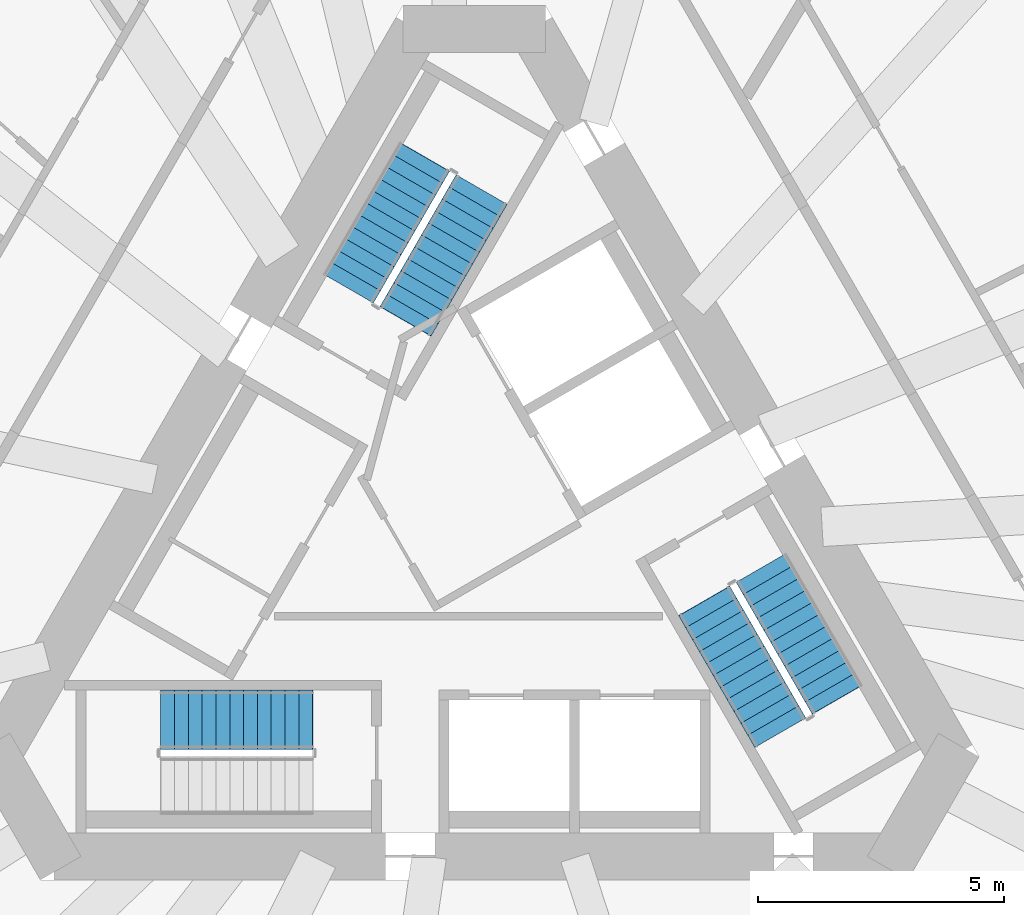
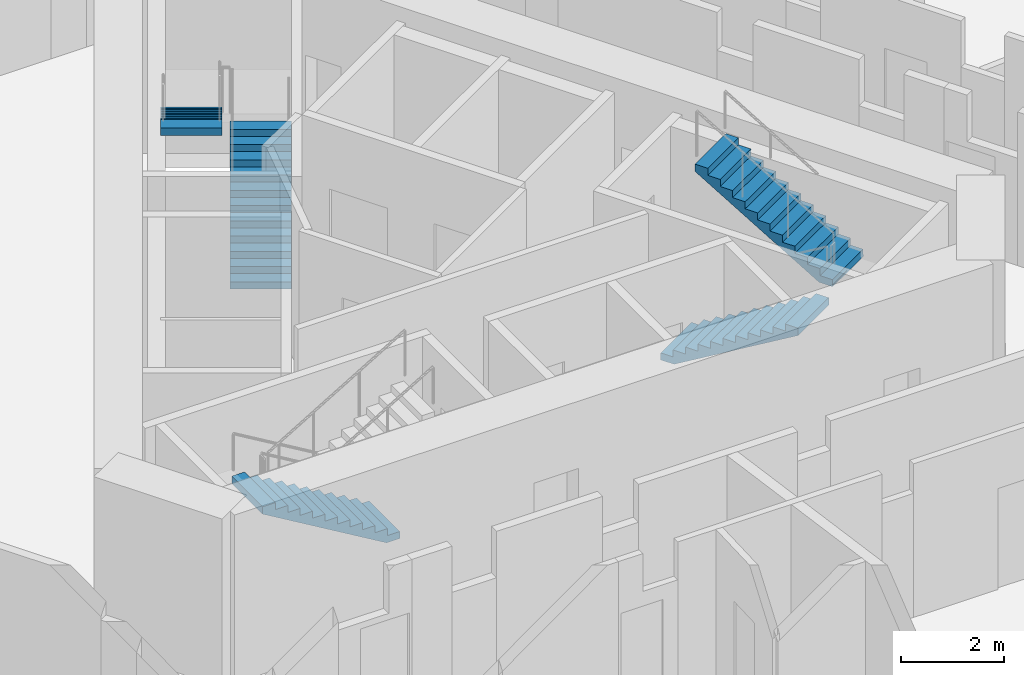
# One storey, part 10 of 13: 5 stair flights, 3 elements without a shape of their own.
"""IFC4 building model written with IfcOpenShell, lengths in metres."""

from ifc_helpers import new_model, si_unit, direction, frame, origin, place, context, subcontext, project, spatial, polyline, outline, extrude, material, layer, layer_set, type_object, element, aggregate, save


model = new_model("IFC4")

# Units and contexts
model_context = context("Model", 3, precision=1e-05, world=origin(), true_north=direction((0.0, 1.0)))
body_context = subcontext(model_context, "Body", "Model", "MODEL_VIEW")
ifc_project = project(units=[si_unit("LENGTHUNIT", "METRE"), si_unit("AREAUNIT", "SQUARE_METRE"), si_unit("VOLUMEUNIT", "CUBIC_METRE"), si_unit("PLANEANGLEUNIT", "RADIAN"), si_unit("MASSUNIT", "GRAM", prefix="KILO")], contexts=[model_context])

# Site, building, storey
site_placement = place(None, origin())
site = spatial("IfcSite", under=ifc_project, at=site_placement, CompositionType="ELEMENT")
building_placement = place(site_placement, origin())
building = spatial("IfcBuilding", under=site, at=building_placement, Name="Tramontana Tower", CompositionType="ELEMENT")
storey_placement = place(building_placement, frame((0.0, 0.0, 100.39990234375)))
storey = spatial("IfcBuildingStorey", under=building, at=storey_placement, Name="L22", CompositionType="ELEMENT", Elevation=100.39990234375)

# Stair, stair flights
ifc_material_1 = material(Name="Concrete 40 MPa", Category="concrete")
stair_type = type_object("IfcStairType", Name="EXIT STAIR 24 RISERS", PredefinedType="HALF_TURN_STAIR", material=ifc_material_1)
stair_1_placement = place(storey_placement, origin())
stair_1 = element("IfcStair", 1, at=stair_1_placement, inside=storey, type_object=stair_type, Name="L22 Exit stair ST1", PredefinedType="HALF_TURN_STAIR")
ifc_material_2 = material(Name="Concrete 40 MPa", Category="concrete")
ifc_layer = layer(ifc_material_2, 0.14990234375)
ifc_layer_set = layer_set([ifc_layer], Name="EXIT STAIR FLIGHT")
stair_flight_type = type_object("IfcStairFlightType", Name="EXIT STAIR FLIGHT", PredefinedType="STRAIGHT", material=ifc_layer_set)
stair_flight_1_placement = place(storey_placement, frame((-1.39111328125, 4.590576171875, 0.0), z_axis=(0.0, 0.0, 1.0), x_axis=(0.5, 0.866025403784, 0.0)))
stair_flight_1 = element("IfcStairFlight", 2, at=stair_flight_1_placement, type_object=stair_flight_type, Name="ST1 flight 1", NumberOfRisers=12, NumberOfTreads=11, PredefinedType="STRAIGHT", RiserHeight=0.166666667, TreadLength=0.28, context=body_context, shape_type="SweptSolid", body=[
    extrude(outline(polyline([(-0.006103515625, 0.0), (-0.006103515625, 0.0400390625), (0.0, 0.0400390625), (0.0, 0.166748046875), (0.280029296875, 0.166748046875), (0.280029296875, 0.333251953125), (0.56005859375, 0.333251953125), (0.56005859375, 0.5), (0.840087890625, 0.5), (0.840087890625, 0.666748046875), (1.1201171875, 0.666748046875), (1.1201171875, 0.833251953125), (1.39990234375, 0.833251953125), (1.39990234375, 1.0), (1.679931640625, 1.0), (1.679931640625, 1.166748046875), (1.9599609375, 1.166748046875), (1.9599609375, 1.333251953125), (2.239990234375, 1.333251953125), (2.239990234375, 1.5), (2.52001953125, 1.5), (2.52001953125, 1.666748046875), (2.800048828125, 1.666748046875), (2.800048828125, 1.833251953125), (3.080078125, 1.833251953125), (3.0859375, 1.833251953125), (3.0859375, 1.658935546875), (0.299072265625, 0.0), (-0.006103515625, 0.0)])), frame((0.0, 0.60009765625, 0.0), z_axis=(0.0, -1.0, 0.0), x_axis=(1.0, 0.0, 0.0)), (0.0, 0.0, 1.0), 1.199951171875),
])
stair_flight_2_placement = place(storey_placement, frame((-1.020263671875, 7.932861328125, 2.0), z_axis=(0.0, 0.0, 1.0), x_axis=(-0.5, -0.866025403784, 0.0)))
stair_flight_2 = element("IfcStairFlight", 3, at=stair_flight_2_placement, type_object=stair_flight_type, Name="ST1 flight 2", NumberOfRisers=12, NumberOfTreads=11, PredefinedType="STRAIGHT", RiserHeight=0.166666667, TreadLength=0.28, context=body_context, shape_type="SweptSolid", body=[
    extrude(outline(polyline([(-0.006103515625, 0.0), (-0.006103515625, 0.0400390625), (0.0, 0.0400390625), (0.0, 0.166748046875), (0.280029296875, 0.166748046875), (0.280029296875, 0.333251953125), (0.56005859375, 0.333251953125), (0.56005859375, 0.5), (0.840087890625, 0.5), (0.840087890625, 0.666748046875), (1.1201171875, 0.666748046875), (1.1201171875, 0.833251953125), (1.39990234375, 0.833251953125), (1.39990234375, 1.0), (1.679931640625, 1.0), (1.679931640625, 1.166748046875), (1.9599609375, 1.166748046875), (1.9599609375, 1.333251953125), (2.239990234375, 1.333251953125), (2.239990234375, 1.5), (2.52001953125, 1.5), (2.52001953125, 1.666748046875), (2.800048828125, 1.666748046875), (2.800048828125, 1.833251953125), (3.080078125, 1.833251953125), (3.0859375, 1.833251953125), (3.0859375, 1.658935546875), (0.299072265625, 0.0), (-0.006103515625, 0.0)])), frame((0.0, 0.60009765625, 0.0), z_axis=(0.0, -1.0, 0.0), x_axis=(1.0, 0.0, 0.0)), (0.0, 0.0, 1.0), 1.199951171875),
])
aggregate(stair_1, [stair_flight_1, stair_flight_2])

# Stair, stair flight
stair_2_placement = place(storey_placement, origin())
stair_2 = element("IfcStair", 4, at=stair_2_placement, inside=storey, type_object=stair_type, Name="L22 Exit stair ST2", PredefinedType="HALF_TURN_STAIR")
stair_flight_3_placement = place(storey_placement, frame((-3.280029296875, -3.5, 0.0), z_axis=(0.0, 0.0, 1.0), x_axis=(-1.0, 0.0, 0.0)))
stair_flight_3 = element("IfcStairFlight", 5, at=stair_flight_3_placement, type_object=stair_flight_type, Name="ST2 flight 1", NumberOfRisers=12, NumberOfTreads=11, PredefinedType="STRAIGHT", RiserHeight=0.166666667, TreadLength=0.28, context=body_context, shape_type="SweptSolid", body=[
    extrude(outline(polyline([(-0.006103515625, 0.0), (-0.006103515625, 0.0400390625), (0.0, 0.0400390625), (0.0, 0.166748046875), (0.280029296875, 0.166748046875), (0.280029296875, 0.333251953125), (0.56005859375, 0.333251953125), (0.56005859375, 0.5), (0.840087890625, 0.5), (0.840087890625, 0.666748046875), (1.1201171875, 0.666748046875), (1.1201171875, 0.833251953125), (1.39990234375, 0.833251953125), (1.39990234375, 1.0), (1.679931640625, 1.0), (1.679931640625, 1.166748046875), (1.9599609375, 1.166748046875), (1.9599609375, 1.333251953125), (2.239990234375, 1.333251953125), (2.239990234375, 1.5), (2.52001953125, 1.5), (2.52001953125, 1.666748046875), (2.800048828125, 1.666748046875), (2.800048828125, 1.833251953125), (3.080078125, 1.833251953125), (3.0859375, 1.833251953125), (3.0859375, 1.658935546875), (0.299072265625, 0.0), (-0.006103515625, 0.0)])), frame((0.0, 0.60009765625, 0.0), z_axis=(0.0, -1.0, 0.0), x_axis=(1.0, 0.0, 0.0)), (0.0, 0.0, 1.0), 1.199951171875),
])
aggregate(stair_2, [stair_flight_3])

# Stair, stair flights
stair_3_placement = place(storey_placement, origin())
stair_3 = element("IfcStair", 6, at=stair_3_placement, inside=storey, type_object=stair_type, Name="L22 Exit stair ST3", PredefinedType="HALF_TURN_STAIR")
stair_flight_4_placement = place(storey_placement, frame((4.671142578125, -1.090576171875, 0.0), z_axis=(0.0, 0.0, 1.0), x_axis=(0.5, -0.866025403784, 0.0)))
stair_flight_4 = element("IfcStairFlight", 7, at=stair_flight_4_placement, type_object=stair_flight_type, Name="ST3 flight 1", NumberOfRisers=12, NumberOfTreads=11, PredefinedType="STRAIGHT", RiserHeight=0.166666667, TreadLength=0.28, context=body_context, shape_type="SweptSolid", body=[
    extrude(outline(polyline([(-0.006103515625, 0.0), (-0.006103515625, 0.0400390625), (0.0, 0.0400390625), (0.0, 0.166748046875), (0.280029296875, 0.166748046875), (0.280029296875, 0.333251953125), (0.56005859375, 0.333251953125), (0.56005859375, 0.5), (0.840087890625, 0.5), (0.840087890625, 0.666748046875), (1.1201171875, 0.666748046875), (1.1201171875, 0.833251953125), (1.39990234375, 0.833251953125), (1.39990234375, 1.0), (1.679931640625, 1.0), (1.679931640625, 1.166748046875), (1.9599609375, 1.166748046875), (1.9599609375, 1.333251953125), (2.239990234375, 1.333251953125), (2.239990234375, 1.5), (2.52001953125, 1.5), (2.52001953125, 1.666748046875), (2.800048828125, 1.666748046875), (2.800048828125, 1.833251953125), (3.080078125, 1.833251953125), (3.0859375, 1.833251953125), (3.0859375, 1.658935546875), (0.299072265625, 0.0), (-0.006103515625, 0.0)])), frame((0.0, 0.60009765625, 0.0), z_axis=(0.0, -1.0, 0.0), x_axis=(1.0, 0.0, 0.0)), (0.0, 0.0, 1.0), 1.199951171875),
])
stair_flight_5_placement = place(storey_placement, frame((7.380126953125, -3.0830078125, 2.0), z_axis=(0.0, 0.0, 1.0), x_axis=(-0.5, 0.866025403784, 0.0)))
stair_flight_5 = element("IfcStairFlight", 8, at=stair_flight_5_placement, type_object=stair_flight_type, Name="ST3 flight 2", NumberOfRisers=12, NumberOfTreads=11, PredefinedType="STRAIGHT", RiserHeight=0.166666667, TreadLength=0.28, context=body_context, shape_type="SweptSolid", body=[
    extrude(outline(polyline([(-0.006103515625, 0.0), (-0.006103515625, 0.0400390625), (0.0, 0.0400390625), (0.0, 0.166748046875), (0.280029296875, 0.166748046875), (0.280029296875, 0.333251953125), (0.56005859375, 0.333251953125), (0.56005859375, 0.5), (0.840087890625, 0.5), (0.840087890625, 0.666748046875), (1.1201171875, 0.666748046875), (1.1201171875, 0.833251953125), (1.39990234375, 0.833251953125), (1.39990234375, 1.0), (1.679931640625, 1.0), (1.679931640625, 1.166748046875), (1.9599609375, 1.166748046875), (1.9599609375, 1.333251953125), (2.239990234375, 1.333251953125), (2.239990234375, 1.5), (2.52001953125, 1.5), (2.52001953125, 1.666748046875), (2.800048828125, 1.666748046875), (2.800048828125, 1.833251953125), (3.080078125, 1.833251953125), (3.0859375, 1.833251953125), (3.0859375, 1.658935546875), (0.299072265625, 0.0), (-0.006103515625, 0.0)])), frame((0.0, 0.60009765625, 0.0), z_axis=(0.0, -1.0, 0.0), x_axis=(1.0, 0.0, 0.0)), (0.0, 0.0, 1.0), 1.199951171875),
])
aggregate(stair_3, [stair_flight_4, stair_flight_5])

save(model, "model.ifc")
